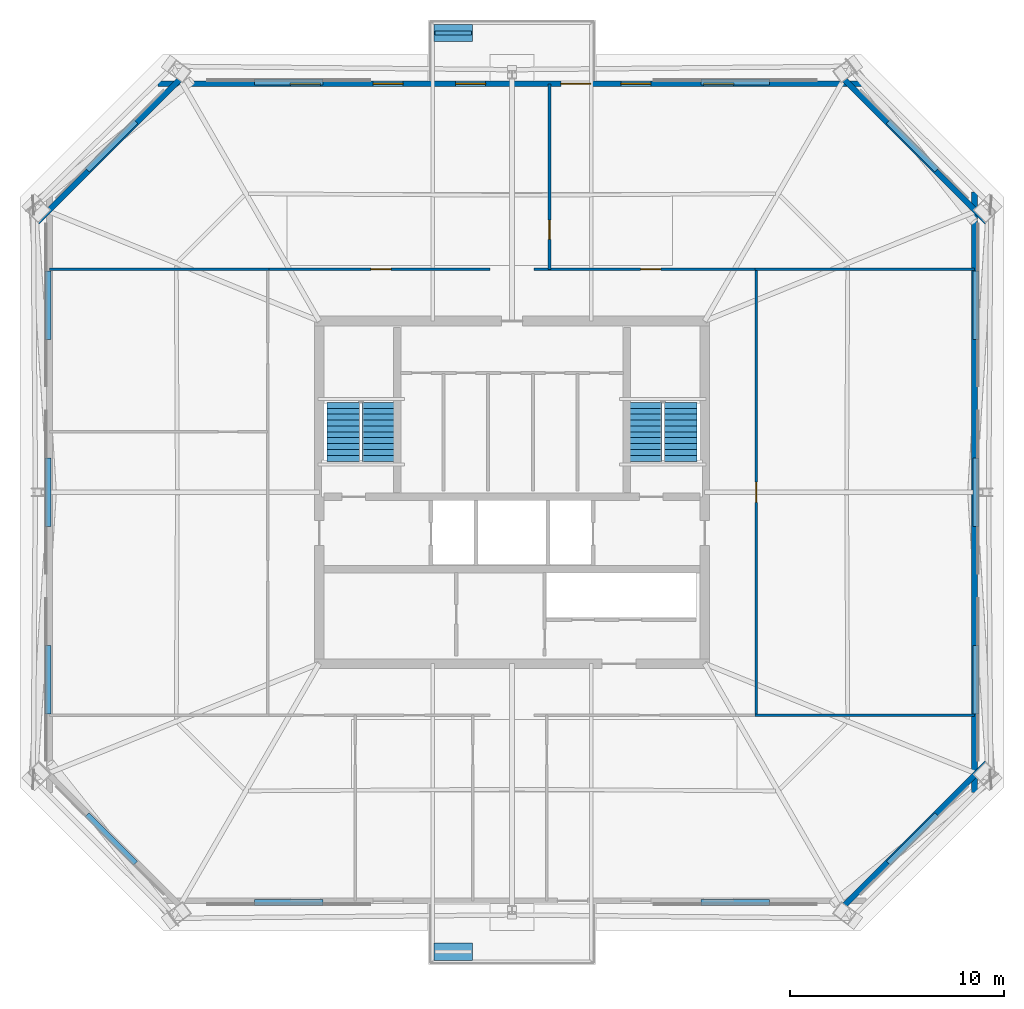
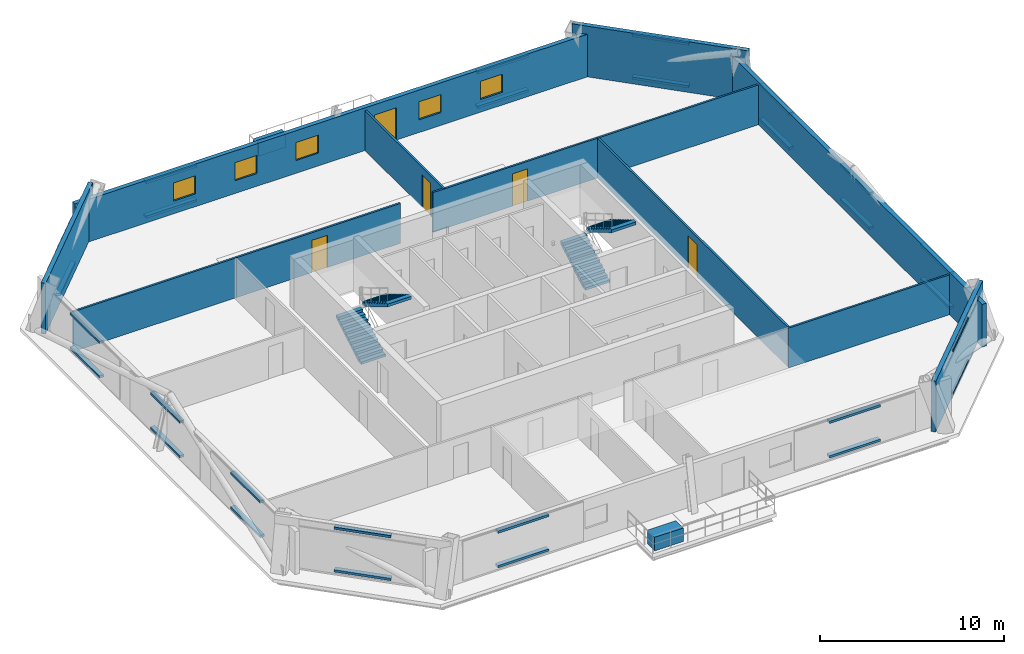
# One storey, part 4 of 6: 30 discrete accessories, 13 walls, 5 doors, 5 windows, 4 stair flights, 10 openings, 2 elements without a shape of their own.
"""IFC4 building model written with IfcOpenShell, lengths in metres."""

from ifc_helpers import new_model, si_unit, direction, frame, frame_2d, origin, origin_2d, place, context, subcontext, project, spatial, polyline, rectangle, outline, extrude, material, layer, layer_set, type_object, element, fill, aggregate, save


model = new_model("IFC4")

# Units and contexts
model_context = context("Model", 3, precision=1e-05, world=origin(), true_north=direction((0.0, 1.0)))
body_context = subcontext(model_context, "Body", "Model", "MODEL_VIEW")
ifc_project = project(units=[si_unit("LENGTHUNIT", "METRE"), si_unit("AREAUNIT", "SQUARE_METRE"), si_unit("VOLUMEUNIT", "CUBIC_METRE"), si_unit("PLANEANGLEUNIT", "RADIAN"), si_unit("MASSUNIT", "GRAM", prefix="KILO")], contexts=[model_context])

# Site, building, storey
site_placement = place(None, origin())
site = spatial("IfcSite", under=ifc_project, at=site_placement, CompositionType="ELEMENT")
building_placement = place(site_placement, origin())
building = spatial("IfcBuilding", under=site, at=building_placement, Name="Caelvoria Tower", CompositionType="ELEMENT")
storey_placement = place(building_placement, frame((0.0, 0.0, 195.0)))
storey = spatial("IfcBuildingStorey", under=building, at=storey_placement, Name="L51", CompositionType="ELEMENT", Elevation=195.0)

# Wall
ifc_material_1 = material(Name="Bronze-Clad Concrete C40/50", Category="concrete")
ifc_layer_1 = layer(ifc_material_1, 0.179931640625, Name="Bronze-Clad Concrete C40/50")
ifc_layer_set_1 = layer_set([ifc_layer_1], Name="Architectural Planter Kerb Wall 180 - Bronze-Clad Concrete C40/50")
wall_type_1 = type_object("IfcWallType", Name="Architectural Planter Kerb Wall 180", PredefinedType="PARAPET", material=ifc_layer_set_1)
wall_1_placement = place(storey_placement, frame((42.39990234375, 53.4599609375, 0.0), z_axis=(0.0, 0.0, 1.0), x_axis=(1.0, 0.0, 0.0)))
element("IfcWall", 1, at=wall_1_placement, inside=storey, type_object=wall_type_1, Name="Tree Balcony Planter Kerb PLANTER TB-L51-N", PredefinedType="PARAPET", context=body_context, shape_type="SweptSolid", body=[
    extrude(rectangle(XDim=1.7001953125, YDim=0.179931640625, at=frame_2d((0.85009765625, 0.0))), origin(), (0.0, 0.0, 1.0), 0.8798828125),
])

# Wall, opening, door
ifc_material_2 = material(Name="Acoustic Gypsum Board on Light-Gauge Stud", Category="gypsum")
ifc_layer_2 = layer(ifc_material_2, 0.1201171875, Name="Acoustic Gypsum Board on Light-Gauge Stud")
ifc_layer_set_2 = layer_set([ifc_layer_2], Name="Tenant Suite Acoustic Partition Wall 120 - Acoustic Gypsum Board on Light-Gauge Stud")
wall_type_2 = type_object("IfcWallType", Name="Tenant Suite Acoustic Partition Wall 120", PredefinedType="PARTITIONING", material=ifc_layer_set_2)
wall_2_placement = place(storey_placement, frame((47.75146484375, 42.409912109375, 0.0), z_axis=(0.0, 0.0, 1.0), x_axis=(0.0, 1.0, 0.0)))
wall_2 = element("IfcWall", 2, at=wall_2_placement, inside=storey, type_object=wall_type_2, Name="Interior Partition IW-L51-ND-00-0", PredefinedType="PARTITIONING", context=body_context, shape_type="SweptSolid", body=[
    extrude(rectangle(XDim=8.670166015625, YDim=0.1201171875, at=frame_2d((4.3349609375, 0.0))), origin(), (0.0, 0.0, 1.0), 2.655029296875),
])
opening_1_placement = place(wall_2_placement, frame((1.39990234375, 0.0, 0.0)))
opening_1 = element("IfcOpeningElement", 3, at=opening_1_placement, cuts=wall_2, Name="Opening ID-06", PredefinedType="OPENING", context=body_context, shape_type="SweptSolid", body=[
    extrude(rectangle(XDim=0.89990234375, YDim=2.14990234375, at=frame_2d((0.449951171875, 1.074951171875))), frame((0.0, 0.070068359375, 0.0), z_axis=(0.0, -1.0, 0.0), x_axis=(1.0, 0.0, 0.0)), (0.0, 0.0, 1.0), 0.14013671875),
])
ifc_material_3 = material(Name="Engineered Andean Oak Veneer Door", Category="wood")
door_type_1 = type_object("IfcDoorType", Name="Interior Timber Door 900x2150", OperationType="NOTDEFINED", PredefinedType="DOOR", material=ifc_material_3)
door_1_placement = place(opening_1_placement, origin())
door_1 = element("IfcDoor", 4, at=door_1_placement, inside=storey, type_object=door_type_1, Name="Interior Door DR-L51-NM-00-0", OperationType="SINGLE_SWING_RIGHT", OverallHeight=2.14990234375, OverallWidth=0.89990234375, PredefinedType="DOOR", context=body_context, shape_type="SweptSolid", body=[
    extrude(rectangle(XDim=0.89990234375, YDim=2.14990234375, at=frame_2d((0.449951171875, 1.074951171875))), frame((0.0, 0.02490234375, 0.0), z_axis=(0.0, -1.0, 0.0), x_axis=(1.0, 0.0, 0.0)), (0.0, 0.0, 1.0), 0.050048828125),
])
fill(opening_1, door_1)

wall_3_placement = place(storey_placement, frame((34.64990234375, 42.409912109375, 0.0), z_axis=(0.0, 0.0, 1.0), x_axis=(1.0, 0.0, 0.0)))
wall_3 = element("IfcWall", 5, at=wall_3_placement, inside=storey, type_object=wall_type_2, Name="Interior Partition IW-L51-NCW-0", PredefinedType="PARTITIONING", context=body_context, shape_type="SweptSolid", body=[
    extrude(rectangle(XDim=10.330078125, YDim=0.1201171875, at=frame_2d((5.1650390625, 0.0))), origin(), (0.0, 0.0, 1.0), 2.655029296875),
])
opening_2_placement = place(wall_3_placement, frame((4.760009765625, 0.0, 0.0)))
opening_2 = element("IfcOpeningElement", 6, at=opening_2_placement, cuts=wall_3, Name="Opening ID-05", PredefinedType="OPENING", context=body_context, shape_type="SweptSolid", body=[
    extrude(rectangle(XDim=0.949951171875, YDim=2.14990234375, at=frame_2d((0.47509765625, 1.074951171875))), frame((0.0, 0.070068359375, 0.0), z_axis=(0.0, -1.0, 0.0), x_axis=(1.0, 0.0, 0.0)), (0.0, 0.0, 1.0), 0.14013671875),
])
door_type_2 = type_object("IfcDoorType", Name="Interior Timber Door 950x2150", OperationType="NOTDEFINED", PredefinedType="DOOR", material=ifc_material_3)
door_2_placement = place(opening_2_placement, origin())
door_2 = element("IfcDoor", 7, at=door_2_placement, inside=storey, type_object=door_type_2, Name="Interior Door DR-L51-NC-00-0", OperationType="SINGLE_SWING_RIGHT", OverallHeight=2.14990234375, OverallWidth=0.949951171875, PredefinedType="DOOR", context=body_context, shape_type="SweptSolid", body=[
    extrude(rectangle(XDim=0.949951171875, YDim=2.14990234375, at=frame_2d((0.47509765625, 1.074951171875))), frame((0.0, 0.02490234375, 0.0), z_axis=(0.0, -1.0, 0.0), x_axis=(1.0, 0.0, 0.0)), (0.0, 0.0, 1.0), 0.050048828125),
])
fill(opening_2, door_2)

wall_4_placement = place(storey_placement, frame((47.02001953125, 42.409912109375, 0.0), z_axis=(0.0, 0.0, 1.0), x_axis=(1.0, 0.0, 0.0)))
wall_4 = element("IfcWall", 8, at=wall_4_placement, inside=storey, type_object=wall_type_2, Name="Interior Partition IW-L51-NCW-1", PredefinedType="PARTITIONING", context=body_context, shape_type="SweptSolid", body=[
    extrude(rectangle(XDim=10.330078125, YDim=0.1201171875, at=frame_2d((5.1650390625, 0.0))), origin(), (0.0, 0.0, 1.0), 2.655029296875),
])
opening_3_placement = place(wall_4_placement, frame((4.985595703125, 0.0, 0.0)))
opening_3 = element("IfcOpeningElement", 9, at=opening_3_placement, cuts=wall_4, Name="Opening ID-05", PredefinedType="OPENING", context=body_context, shape_type="SweptSolid", body=[
    extrude(rectangle(XDim=0.949951171875, YDim=2.14990234375, at=frame_2d((0.47509765625, 1.074951171875))), frame((0.0, 0.070068359375, 0.0), z_axis=(0.0, -1.0, 0.0), x_axis=(1.0, 0.0, 0.0)), (0.0, 0.0, 1.0), 0.14013671875),
])
door_3_placement = place(opening_3_placement, origin())
door_3 = element("IfcDoor", 10, at=door_3_placement, inside=storey, type_object=door_type_2, Name="Interior Door DR-L51-NC-01-0", OperationType="SINGLE_SWING_LEFT", OverallHeight=2.14990234375, OverallWidth=0.949951171875, PredefinedType="DOOR", context=body_context, shape_type="SweptSolid", body=[
    extrude(rectangle(XDim=0.949951171875, YDim=2.14990234375, at=frame_2d((0.47509765625, 1.074951171875))), frame((0.0, 0.02490234375, 0.0), z_axis=(0.0, -1.0, 0.0), x_axis=(1.0, 0.0, 0.0)), (0.0, 0.0, 1.0), 0.050048828125),
])
fill(opening_3, door_3)

wall_5_placement = place(storey_placement, frame((57.409912109375, 21.64990234375, 0.0), z_axis=(0.0, 0.0, 1.0), x_axis=(0.0, 1.0, 0.0)))
wall_5 = element("IfcWall", 11, at=wall_5_placement, inside=storey, type_object=wall_type_2, Name="Interior Partition IW-L51-ECW-0", PredefinedType="PARTITIONING", context=body_context, shape_type="SweptSolid", body=[
    extrude(rectangle(XDim=20.7001953125, YDim=0.1201171875, at=frame_2d((10.35009765625, 0.0))), origin(), (0.0, 0.0, 1.0), 2.655029296875),
])
opening_4_placement = place(wall_5_placement, frame((9.875, 0.0, 0.0)))
opening_4 = element("IfcOpeningElement", 12, at=opening_4_placement, cuts=wall_5, Name="Opening ID-05", PredefinedType="OPENING", context=body_context, shape_type="SweptSolid", body=[
    extrude(rectangle(XDim=0.949951171875, YDim=2.14990234375, at=frame_2d((0.47509765625, 1.074951171875))), frame((0.0, 0.070068359375, 0.0), z_axis=(0.0, -1.0, 0.0), x_axis=(1.0, 0.0, 0.0)), (0.0, 0.0, 1.0), 0.14013671875),
])
door_4_placement = place(opening_4_placement, origin())
door_4 = element("IfcDoor", 13, at=door_4_placement, inside=storey, type_object=door_type_2, Name="Interior Door DR-L51-EC-00-0", OperationType="SINGLE_SWING_RIGHT", OverallHeight=2.14990234375, OverallWidth=0.949951171875, PredefinedType="DOOR", context=body_context, shape_type="SweptSolid", body=[
    extrude(rectangle(XDim=0.949951171875, YDim=2.14990234375, at=frame_2d((0.47509765625, 1.074951171875))), frame((0.0, 0.02490234375, 0.0), z_axis=(0.0, -1.0, 0.0), x_axis=(1.0, 0.0, 0.0)), (0.0, 0.0, 1.0), 0.050048828125),
])
fill(opening_4, door_4)

# Walls
for number, where, z_axis, x_axis, name in (
    (14, (57.35009765625, 21.590087890625, 0.0), (0.0, 0.0, 1.0), (1.0, 0.0, 0.0), "Interior Partition IW-L51-BSE-0"),
    (15, (34.64990234375, 42.409912109375, 0.0), (0.0, 0.0, 1.0), (-1.0, 0.0, 0.0), "Interior Partition IW-L51-BNW-0"),
    (16, (57.35009765625, 42.409912109375, 0.0), (0.0, 0.0, 1.0), (1.0, 0.0, 0.0), "Interior Partition IW-L51-BNE-0"),
):
    element("IfcWall", number, at=place(storey_placement, frame(where, z_axis=z_axis, x_axis=x_axis)), inside=storey, type_object=wall_type_2, Name=name, PredefinedType="PARTITIONING", context=body_context, shape_type="SweptSolid", body=[
        extrude(rectangle(XDim=10.25, YDim=0.1201171875, at=frame_2d((5.125, 0.0))), origin(), (0.0, 0.0, 1.0), 2.655029296875),
    ])
ifc_material_4 = material(Name="Precast Concrete C40/50 with Bronze Cladding", Category="concrete")
ifc_layer_3 = layer(ifc_material_4, 0.264892578125, Name="Precast Concrete C40/50 with Bronze Cladding")
ifc_layer_set_3 = layer_set([ifc_layer_3], Name="Upper Taper Precast Concrete C40/50 Bronze Facade Wall 265 - Precast Concrete C40/50 with Bronze Cladding")
wall_type_3 = type_object("IfcWallType", Name="Upper Taper Precast Concrete C40/50 Bronze Facade Wall 265", PredefinedType="STANDARD", material=ifc_layer_set_3)
wall_6_placement = place(storey_placement, frame((61.154541015625, 12.34619140625, 0.0), z_axis=(0.0, 0.0, 1.0), x_axis=(0.707106781187, 0.707106781187, 0.0)))
element("IfcWall", 17, at=wall_6_placement, inside=storey, type_object=wall_type_3, Name="Exterior Facade Wall L51-E1", PredefinedType="STANDARD", context=body_context, shape_type="SweptSolid", body=[
    extrude(rectangle(XDim=9.9267578125, YDim=0.264892578125, at=frame_2d((4.96337890625, 0.0))), origin(), (0.0, 0.0, 1.0), 3.375),
])
wall_7_placement = place(storey_placement, frame((67.60009765625, 17.97998046875, 0.0), z_axis=(0.0, 0.0, 1.0), x_axis=(0.0, 1.0, 0.0)))
element("IfcWall", 18, at=wall_7_placement, inside=storey, type_object=wall_type_3, Name="Exterior Facade Wall L51-E2", PredefinedType="STANDARD", context=body_context, shape_type="SweptSolid", body=[
    extrude(rectangle(XDim=28.0400390625, YDim=0.264892578125, at=frame_2d((14.02001953125, 0.0))), origin(), (0.0, 0.0, 1.0), 2.83203125),
])
wall_8_placement = place(storey_placement, frame((68.173828125, 44.634521484375, 0.0), z_axis=(0.0, 0.0, 1.0), x_axis=(-0.707106781187, 0.707106781187, 0.0)))
element("IfcWall", 19, at=wall_8_placement, inside=storey, type_object=wall_type_3, Name="Exterior Facade Wall L51-E3", PredefinedType="STANDARD", context=body_context, shape_type="SweptSolid", body=[
    extrude(rectangle(XDim=9.9267578125, YDim=0.264892578125, at=frame_2d((4.96337890625, 0.0))), origin(), (0.0, 0.0, 1.0), 3.375),
])

# Wall, openings, windows, door
wall_9_placement = place(storey_placement, frame((62.5400390625, 51.080078125, 0.0), z_axis=(0.0, 0.0, 1.0), x_axis=(-1.0, 0.0, 0.0)))
wall_9 = element("IfcWall", 20, at=wall_9_placement, inside=storey, type_object=wall_type_3, Name="Exterior Facade Wall L51-E4", PredefinedType="STANDARD", context=body_context, shape_type="SweptSolid", body=[
    extrude(rectangle(XDim=33.080078125, YDim=0.264892578125, at=frame_2d((16.5400390625, 0.0))), origin(), (0.0, 0.0, 1.0), 2.83203125),
])
opening_5_placement = place(wall_9_placement, frame((12.860107421875, 0.0, 0.0)))
opening_5 = element("IfcOpeningElement", 21, at=opening_5_placement, cuts=wall_9, Name="Opening ED-04", PredefinedType="OPENING", context=body_context, shape_type="SweptSolid", body=[
    extrude(rectangle(XDim=1.39990234375, YDim=2.14990234375, at=frame_2d((0.699951171875, 1.074951171875))), frame((0.0, 0.142333984375, 0.0), z_axis=(0.0, -1.0, 0.0), x_axis=(1.0, 0.0, 0.0)), (0.0, 0.0, 1.0), 0.284912109375),
])
opening_6_placement = place(wall_9_placement, frame((6.18994140625, 0.0, 0.85009765625)))
opening_6 = element("IfcOpeningElement", 22, at=opening_6_placement, cuts=wall_9, Name="Opening WN-06", PredefinedType="OPENING", context=body_context, shape_type="SweptSolid", body=[
    extrude(rectangle(XDim=1.39990234375, YDim=1.199951171875, at=frame_2d((0.699951171875, 0.60009765625))), frame((0.0, 0.142333984375, 0.0), z_axis=(0.0, -1.0, 0.0), x_axis=(1.0, 0.0, 0.0)), (0.0, 0.0, 1.0), 0.284912109375),
])
opening_7_placement = place(wall_9_placement, frame((10.050048828125, 0.0, 0.85009765625)))
opening_7 = element("IfcOpeningElement", 23, at=opening_7_placement, cuts=wall_9, Name="Opening WN-06", PredefinedType="OPENING", context=body_context, shape_type="SweptSolid", body=[
    extrude(rectangle(XDim=1.39990234375, YDim=1.199951171875, at=frame_2d((0.699951171875, 0.60009765625))), frame((0.0, 0.142333984375, 0.0), z_axis=(0.0, -1.0, 0.0), x_axis=(1.0, 0.0, 0.0)), (0.0, 0.0, 1.0), 0.284912109375),
])
opening_8_placement = place(wall_9_placement, frame((17.77001953125, 0.0, 0.85009765625)))
opening_8 = element("IfcOpeningElement", 24, at=opening_8_placement, cuts=wall_9, Name="Opening WN-06", PredefinedType="OPENING", context=body_context, shape_type="SweptSolid", body=[
    extrude(rectangle(XDim=1.39990234375, YDim=1.199951171875, at=frame_2d((0.699951171875, 0.60009765625))), frame((0.0, 0.142333984375, 0.0), z_axis=(0.0, -1.0, 0.0), x_axis=(1.0, 0.0, 0.0)), (0.0, 0.0, 1.0), 0.284912109375),
])
opening_9_placement = place(wall_9_placement, frame((21.6298828125, 0.0, 0.85009765625)))
opening_9 = element("IfcOpeningElement", 25, at=opening_9_placement, cuts=wall_9, Name="Opening WN-06", PredefinedType="OPENING", context=body_context, shape_type="SweptSolid", body=[
    extrude(rectangle(XDim=1.39990234375, YDim=1.199951171875, at=frame_2d((0.699951171875, 0.60009765625))), frame((0.0, 0.142333984375, 0.0), z_axis=(0.0, -1.0, 0.0), x_axis=(1.0, 0.0, 0.0)), (0.0, 0.0, 1.0), 0.284912109375),
])
opening_10_placement = place(wall_9_placement, frame((25.489990234375, 0.0, 0.85009765625)))
opening_10 = element("IfcOpeningElement", 26, at=opening_10_placement, cuts=wall_9, Name="Opening WN-06", PredefinedType="OPENING", context=body_context, shape_type="SweptSolid", body=[
    extrude(rectangle(XDim=1.39990234375, YDim=1.199951171875, at=frame_2d((0.699951171875, 0.60009765625))), frame((0.0, 0.142333984375, 0.0), z_axis=(0.0, -1.0, 0.0), x_axis=(1.0, 0.0, 0.0)), (0.0, 0.0, 1.0), 0.284912109375),
])
ifc_material_5 = material(Name="Low-E Tinted Glass in Bronze Aluminium Frame", Category="aluminium")
window_type = type_object("IfcWindowType", Name="Podium Clerestory Window 1400x1200", PartitioningType="SINGLE_PANEL", PredefinedType="WINDOW", material=ifc_material_5)
window_1_placement = place(opening_6_placement, origin())
window_1 = element("IfcWindow", 27, at=window_1_placement, inside=storey, type_object=window_type, Name="Facade Window L51-E4-01", OverallHeight=1.199951171875, OverallWidth=1.39990234375, PartitioningType="SINGLE_PANEL", PredefinedType="WINDOW", context=body_context, shape_type="SweptSolid", body=[
    extrude(rectangle(XDim=1.39990234375, YDim=1.199951171875, at=frame_2d((0.699951171875, 0.60009765625))), frame((0.0, 0.030029296875, 0.0), z_axis=(0.0, -1.0, 0.0), x_axis=(1.0, 0.0, 0.0)), (0.0, 0.0, 1.0), 0.06005859375),
])
fill(opening_6, window_1)
window_2_placement = place(opening_7_placement, origin())
window_2 = element("IfcWindow", 28, at=window_2_placement, inside=storey, type_object=window_type, Name="Facade Window L51-E4-02", OverallHeight=1.199951171875, OverallWidth=1.39990234375, PartitioningType="SINGLE_PANEL", PredefinedType="WINDOW", context=body_context, shape_type="SweptSolid", body=[
    extrude(rectangle(XDim=1.39990234375, YDim=1.199951171875, at=frame_2d((0.699951171875, 0.60009765625))), frame((0.0, 0.030029296875, 0.0), z_axis=(0.0, -1.0, 0.0), x_axis=(1.0, 0.0, 0.0)), (0.0, 0.0, 1.0), 0.06005859375),
])
fill(opening_7, window_2)
window_3_placement = place(opening_8_placement, origin())
window_3 = element("IfcWindow", 29, at=window_3_placement, inside=storey, type_object=window_type, Name="Facade Window L51-E4-04", OverallHeight=1.199951171875, OverallWidth=1.39990234375, PartitioningType="SINGLE_PANEL", PredefinedType="WINDOW", context=body_context, shape_type="SweptSolid", body=[
    extrude(rectangle(XDim=1.39990234375, YDim=1.199951171875, at=frame_2d((0.699951171875, 0.60009765625))), frame((0.0, 0.030029296875, 0.0), z_axis=(0.0, -1.0, 0.0), x_axis=(1.0, 0.0, 0.0)), (0.0, 0.0, 1.0), 0.06005859375),
])
fill(opening_8, window_3)
window_4_placement = place(opening_9_placement, origin())
window_4 = element("IfcWindow", 30, at=window_4_placement, inside=storey, type_object=window_type, Name="Facade Window L51-E4-05", OverallHeight=1.199951171875, OverallWidth=1.39990234375, PartitioningType="SINGLE_PANEL", PredefinedType="WINDOW", context=body_context, shape_type="SweptSolid", body=[
    extrude(rectangle(XDim=1.39990234375, YDim=1.199951171875, at=frame_2d((0.699951171875, 0.60009765625))), frame((0.0, 0.030029296875, 0.0), z_axis=(0.0, -1.0, 0.0), x_axis=(1.0, 0.0, 0.0)), (0.0, 0.0, 1.0), 0.06005859375),
])
fill(opening_9, window_4)
window_5_placement = place(opening_10_placement, origin())
window_5 = element("IfcWindow", 31, at=window_5_placement, inside=storey, type_object=window_type, Name="Facade Window L51-E4-06", OverallHeight=1.199951171875, OverallWidth=1.39990234375, PartitioningType="SINGLE_PANEL", PredefinedType="WINDOW", context=body_context, shape_type="SweptSolid", body=[
    extrude(rectangle(XDim=1.39990234375, YDim=1.199951171875, at=frame_2d((0.699951171875, 0.60009765625))), frame((0.0, 0.030029296875, 0.0), z_axis=(0.0, -1.0, 0.0), x_axis=(1.0, 0.0, 0.0)), (0.0, 0.0, 1.0), 0.06005859375),
])
fill(opening_10, window_5)
ifc_material_6 = material(Name="Anodised Bronze Aluminium and Laminated Glass", Category="aluminium")
door_type_3 = type_object("IfcDoorType", Name="Tree Balcony Glazed Door 1400x2150", OperationType="NOTDEFINED", PredefinedType="DOOR", material=ifc_material_6)
door_5_placement = place(opening_5_placement, origin())
door_5 = element("IfcDoor", 32, at=door_5_placement, inside=storey, type_object=door_type_3, Name="Tree Balcony Door L51-N", OperationType="SINGLE_SWING_RIGHT", OverallHeight=2.14990234375, OverallWidth=1.39990234375, PredefinedType="DOOR", context=body_context, shape_type="SweptSolid", body=[
    extrude(rectangle(XDim=1.39990234375, YDim=2.14990234375, at=frame_2d((0.699951171875, 1.074951171875))), frame((0.0, 0.02490234375, 0.0), z_axis=(0.0, -1.0, 0.0), x_axis=(1.0, 0.0, 0.0)), (0.0, 0.0, 1.0), 0.050048828125),
])
fill(opening_5, door_5)

# Wall
wall_10_placement = place(storey_placement, frame((30.845458984375, 51.65380859375, 0.0), z_axis=(0.0, 0.0, 1.0), x_axis=(-0.707106781187, -0.707106781187, 0.0)))
element("IfcWall", 33, at=wall_10_placement, inside=storey, type_object=wall_type_3, Name="Exterior Facade Wall L51-E5", PredefinedType="STANDARD", context=body_context, shape_type="SweptSolid", body=[
    extrude(rectangle(XDim=9.9267578125, YDim=0.264892578125, at=frame_2d((4.96337890625, 0.0))), origin(), (0.0, 0.0, 1.0), 3.375),
])

# Stair, stair flights
ifc_material_7 = material(Name="Concrete C40/50", Category="concrete")
stair_type = type_object("IfcStairType", Name="Core Smokeproof Dogleg Stair Concrete C40/50", PredefinedType="HALF_TURN_STAIR", material=ifc_material_7)
stair_1_placement = place(storey_placement, origin())
stair_1 = element("IfcStair", 34, at=stair_1_placement, inside=storey, type_object=stair_type, Name="ST-01 Smokeproof Exit Stair L51", PredefinedType="HALF_TURN_STAIR")
ifc_material_8 = material(Name="Precast Concrete C40/50", Category="concrete")
stair_flight_type = type_object("IfcStairFlightType", Name="Precast Concrete C40/50 Stair Flight 1480", PredefinedType="STRAIGHT", material=ifc_material_8)
stair_flight_1_placement = place(storey_placement, frame((38.1298828125, 33.449951171875, 0.0), z_axis=(0.0, 0.0, 1.0), x_axis=(0.0, 1.0, 0.0)))
stair_flight_1 = element("IfcStairFlight", 35, at=stair_flight_1_placement, type_object=stair_flight_type, Name="ST-01 flight 1", NumberOfRisers=11, NumberOfTreads=10, PredefinedType="STRAIGHT", RiserHeight=0.1636, TreadLength=0.275, context=body_context, shape_type="SweptSolid", body=[
    extrude(outline(polyline([(0.0, 0.0), (0.0, 0.16357421875), (0.27490234375, 0.16357421875), (0.27490234375, 0.3271484375), (0.550048828125, 0.3271484375), (0.550048828125, 0.49072265625), (0.824951171875, 0.49072265625), (0.824951171875, 0.654296875), (1.10009765625, 0.654296875), (1.10009765625, 0.818115234375), (1.375, 0.818115234375), (1.375, 0.981689453125), (1.64990234375, 0.981689453125), (1.64990234375, 1.145263671875), (1.925048828125, 1.145263671875), (1.925048828125, 1.308837890625), (2.199951171875, 1.308837890625), (2.199951171875, 1.472412109375), (2.47509765625, 1.472412109375), (2.47509765625, 1.635986328125), (2.75, 1.635986328125), (2.75, 1.799560546875), (2.75, 1.449951171875), (0.312744140625, 0.0), (0.0, 0.0)])), frame((0.0, 0.77001953125, 0.0), z_axis=(0.0, -1.0, 0.0), x_axis=(1.0, 0.0, 0.0)), (0.0, 0.0, 1.0), 1.5400390625),
])
stair_flight_2_placement = place(storey_placement, frame((39.77001953125, 36.199951171875, 1.800048828125), z_axis=(0.0, 0.0, 1.0), x_axis=(0.0, -1.0, 0.0)))
stair_flight_2 = element("IfcStairFlight", 36, at=stair_flight_2_placement, type_object=stair_flight_type, Name="ST-01 flight 2", NumberOfRisers=11, NumberOfTreads=10, PredefinedType="STRAIGHT", RiserHeight=0.1636, TreadLength=0.275, context=body_context, shape_type="SweptSolid", body=[
    extrude(outline(polyline([(0.0, 0.0), (0.0, 0.16357421875), (0.27490234375, 0.16357421875), (0.27490234375, 0.3271484375), (0.550048828125, 0.3271484375), (0.550048828125, 0.49072265625), (0.824951171875, 0.49072265625), (0.824951171875, 0.654296875), (1.10009765625, 0.654296875), (1.10009765625, 0.818115234375), (1.375, 0.818115234375), (1.375, 0.981689453125), (1.64990234375, 0.981689453125), (1.64990234375, 1.145263671875), (1.925048828125, 1.145263671875), (1.925048828125, 1.308837890625), (2.199951171875, 1.308837890625), (2.199951171875, 1.472412109375), (2.47509765625, 1.472412109375), (2.47509765625, 1.635986328125), (2.75, 1.635986328125), (2.75, 1.799560546875), (2.75, 1.449951171875), (0.312744140625, 0.0), (0.0, 0.0)])), frame((0.0, 0.77001953125, 0.0), z_axis=(0.0, -1.0, 0.0), x_axis=(1.0, 0.0, 0.0)), (0.0, 0.0, 1.0), 1.5400390625),
])
aggregate(stair_1, [stair_flight_1, stair_flight_2])

stair_2_placement = place(storey_placement, origin())
stair_2 = element("IfcStair", 37, at=stair_2_placement, inside=storey, type_object=stair_type, Name="ST-02 Smokeproof Exit Stair L51", PredefinedType="HALF_TURN_STAIR")
stair_flight_3_placement = place(storey_placement, frame((52.22998046875, 33.449951171875, 0.0), z_axis=(0.0, 0.0, 1.0), x_axis=(0.0, 1.0, 0.0)))
stair_flight_3 = element("IfcStairFlight", 38, at=stair_flight_3_placement, type_object=stair_flight_type, Name="ST-02 flight 1", NumberOfRisers=11, NumberOfTreads=10, PredefinedType="STRAIGHT", RiserHeight=0.1636, TreadLength=0.275, context=body_context, shape_type="SweptSolid", body=[
    extrude(outline(polyline([(0.0, 0.0), (0.0, 0.16357421875), (0.27490234375, 0.16357421875), (0.27490234375, 0.3271484375), (0.550048828125, 0.3271484375), (0.550048828125, 0.49072265625), (0.824951171875, 0.49072265625), (0.824951171875, 0.654296875), (1.10009765625, 0.654296875), (1.10009765625, 0.818115234375), (1.375, 0.818115234375), (1.375, 0.981689453125), (1.64990234375, 0.981689453125), (1.64990234375, 1.145263671875), (1.925048828125, 1.145263671875), (1.925048828125, 1.308837890625), (2.199951171875, 1.308837890625), (2.199951171875, 1.472412109375), (2.47509765625, 1.472412109375), (2.47509765625, 1.635986328125), (2.75, 1.635986328125), (2.75, 1.799560546875), (2.75, 1.449951171875), (0.312744140625, 0.0), (0.0, 0.0)])), frame((0.0, 0.77001953125, 0.0), z_axis=(0.0, -1.0, 0.0), x_axis=(1.0, 0.0, 0.0)), (0.0, 0.0, 1.0), 1.5400390625),
])
stair_flight_4_placement = place(storey_placement, frame((53.8701171875, 36.199951171875, 1.800048828125), z_axis=(0.0, 0.0, 1.0), x_axis=(0.0, -1.0, 0.0)))
stair_flight_4 = element("IfcStairFlight", 39, at=stair_flight_4_placement, type_object=stair_flight_type, Name="ST-02 flight 2", NumberOfRisers=11, NumberOfTreads=10, PredefinedType="STRAIGHT", RiserHeight=0.1636, TreadLength=0.275, context=body_context, shape_type="SweptSolid", body=[
    extrude(outline(polyline([(0.0, 0.0), (0.0, 0.16357421875), (0.27490234375, 0.16357421875), (0.27490234375, 0.3271484375), (0.550048828125, 0.3271484375), (0.550048828125, 0.49072265625), (0.824951171875, 0.49072265625), (0.824951171875, 0.654296875), (1.10009765625, 0.654296875), (1.10009765625, 0.818115234375), (1.375, 0.818115234375), (1.375, 0.981689453125), (1.64990234375, 0.981689453125), (1.64990234375, 1.145263671875), (1.925048828125, 1.145263671875), (1.925048828125, 1.308837890625), (2.199951171875, 1.308837890625), (2.199951171875, 1.472412109375), (2.47509765625, 1.472412109375), (2.47509765625, 1.635986328125), (2.75, 1.635986328125), (2.75, 1.799560546875), (2.75, 1.449951171875), (0.312744140625, 0.0), (0.0, 0.0)])), frame((0.0, 0.77001953125, 0.0), z_axis=(0.0, -1.0, 0.0), x_axis=(1.0, 0.0, 0.0)), (0.0, 0.0, 1.0), 1.5400390625),
])
aggregate(stair_2, [stair_flight_3, stair_flight_4])

# Discrete accessories
ifc_material_9 = material(Name="Anodised Bronze Stainless Bracket", Category="bronze")
discrete_accessory_type_1 = type_object("IfcDiscreteAccessoryType", Name="Solar Screen Outrigger Support Bracket", PredefinedType="BRACKET", material=ifc_material_9)
for number, where, z_axis, x_axis, name in (
    (40, (35.5732421875, 12.84716796875, 0.240234375), (0.0, 0.0, 1.0), (1.0, 0.0, 0.0), "Solar Screen Bracket L51-E0-00"),
    (41, (35.5732421875, 12.84716796875, 2.5322265625), (0.0, 0.0, 1.0), (1.0, 0.0, 0.0), "Upper Screen Band Bracket L51-E0-00"),
    (42, (56.4267578125, 12.84716796875, 0.240234375), (0.0, 0.0, 1.0), (1.0, 0.0, 0.0), "Solar Screen Bracket L51-E0-02"),
    (43, (56.4267578125, 12.84716796875, 2.5322265625), (0.0, 0.0, 1.0), (1.0, 0.0, 0.0), "Upper Screen Band Bracket L51-E0-02"),
    (44, (64.7158203125, 15.80419921875, 0.240234375), (0.0, 0.0, 1.0), (0.707106781187, 0.707106781187, 0.0), "Solar Screen Bracket L51-E1-00"),
    (45, (64.7158203125, 15.80419921875, 3.0751953125), (0.0, 0.0, 1.0), (0.707106781187, 0.707106781187, 0.0), "Upper Screen Band Bracket L51-E1-00"),
    (46, (67.6728515625, 23.25341796875, 0.240234375), (0.0, 0.0, 1.0), (0.0, 1.0, 0.0), "Solar Screen Bracket L51-E2-00"),
    (47, (67.6728515625, 23.25341796875, 2.5322265625), (0.0, 0.0, 1.0), (0.0, 1.0, 0.0), "Upper Screen Band Bracket L51-E2-00"),
    (48, (67.6728515625, 32.0, 0.240234375), (0.0, 0.0, 1.0), (0.0, 1.0, 0.0), "Solar Screen Bracket L51-E2-01"),
    (49, (67.6728515625, 32.0, 2.5322265625), (0.0, 0.0, 1.0), (0.0, 1.0, 0.0), "Upper Screen Band Bracket L51-E2-01"),
    (50, (67.6728515625, 40.74658203125, 0.240234375), (0.0, 0.0, 1.0), (0.0, 1.0, 0.0), "Solar Screen Bracket L51-E2-02"),
    (51, (67.6728515625, 40.74658203125, 2.5322265625), (0.0, 0.0, 1.0), (0.0, 1.0, 0.0), "Upper Screen Band Bracket L51-E2-02"),
    (52, (64.7158203125, 48.19580078125, 0.240234375), (0.0, 0.0, 1.0), (-0.707106781187, 0.707106781187, 0.0), "Solar Screen Bracket L51-E3-00"),
    (53, (64.7158203125, 48.19580078125, 3.0751953125), (0.0, 0.0, 1.0), (-0.707106781187, 0.707106781187, 0.0), "Upper Screen Band Bracket L51-E3-00"),
    (54, (56.4267578125, 51.15283203125, 0.240234375), (0.0, 0.0, 1.0), (-1.0, 0.0, 0.0), "Solar Screen Bracket L51-E4-00"),
    (55, (56.4267578125, 51.15283203125, 2.5322265625), (0.0, 0.0, 1.0), (-1.0, 0.0, 0.0), "Upper Screen Band Bracket L51-E4-00"),
    (56, (35.5732421875, 51.15283203125, 0.240234375), (0.0, 0.0, 1.0), (-1.0, 0.0, 0.0), "Solar Screen Bracket L51-E4-02"),
    (57, (35.5732421875, 51.15283203125, 2.5322265625), (0.0, 0.0, 1.0), (-1.0, 0.0, 0.0), "Upper Screen Band Bracket L51-E4-02"),
    (58, (27.2841796875, 48.19580078125, 0.240234375), (0.0, 0.0, 1.0), (-0.707106781187, -0.707106781187, 0.0), "Solar Screen Bracket L51-E5-00"),
    (59, (27.2841796875, 48.19580078125, 3.0751953125), (0.0, 0.0, 1.0), (-0.707106781187, -0.707106781187, 0.0), "Upper Screen Band Bracket L51-E5-00"),
    (60, (24.3271484375, 40.74658203125, 0.240234375), (0.0, 0.0, 1.0), (0.0, -1.0, 0.0), "Solar Screen Bracket L51-E6-00"),
    (61, (24.3271484375, 40.74658203125, 2.5322265625), (0.0, 0.0, 1.0), (0.0, -1.0, 0.0), "Upper Screen Band Bracket L51-E6-00"),
    (62, (24.3271484375, 32.0, 0.240234375), (0.0, 0.0, 1.0), (0.0, -1.0, 0.0), "Solar Screen Bracket L51-E6-01"),
    (63, (24.3271484375, 32.0, 2.5322265625), (0.0, 0.0, 1.0), (0.0, -1.0, 0.0), "Upper Screen Band Bracket L51-E6-01"),
    (64, (24.3271484375, 23.25341796875, 0.240234375), (0.0, 0.0, 1.0), (0.0, -1.0, 0.0), "Solar Screen Bracket L51-E6-02"),
    (65, (24.3271484375, 23.25341796875, 2.5322265625), (0.0, 0.0, 1.0), (0.0, -1.0, 0.0), "Upper Screen Band Bracket L51-E6-02"),
    (66, (27.2841796875, 15.80419921875, 0.240234375), (0.0, 0.0, 1.0), (0.707106781187, -0.707106781187, 0.0), "Solar Screen Bracket L51-E7-00"),
    (67, (27.2841796875, 15.80419921875, 3.0751953125), (0.0, 0.0, 1.0), (0.707106781187, -0.707106781187, 0.0), "Upper Screen Band Bracket L51-E7-00"),
):
    element("IfcDiscreteAccessory", number, at=place(storey_placement, frame(where, z_axis=z_axis, x_axis=x_axis)), inside=storey, type_object=discrete_accessory_type_1, Name=name, PredefinedType="BRACKET", context=body_context, shape_type="SweptSolid", body=[
        extrude(rectangle(XDim=3.199951171875, YDim=0.280029296875, at=origin_2d()), origin(), (0.0, 0.0, 1.0), 0.159912109375),
    ])
ifc_material_10 = material(Name="Bronze-Clad Concrete C40/50 Planter Vessel", Category="concrete")
discrete_accessory_type_2 = type_object("IfcDiscreteAccessoryType", Name="Tree Balcony Structural Planter Vessel PLANTER", PredefinedType="USERDEFINED", material=ifc_material_10)
for number, where, z_axis, x_axis, name in (
    (68, (43.25, 10.5400390625, 0.0), (0.0, 0.0, 1.0), (1.0, 0.0, 0.0), "Tree Balcony Planter TB-L51-S"),
    (69, (43.25, 53.4599609375, 0.0), (0.0, 0.0, 1.0), (1.0, 0.0, 0.0), "Tree Balcony Planter TB-L51-N"),
):
    element("IfcDiscreteAccessory", number, at=place(storey_placement, frame(where, z_axis=z_axis, x_axis=x_axis)), inside=storey, type_object=discrete_accessory_type_2, Name=name, ObjectType="PLANTER", PredefinedType="USERDEFINED", context=body_context, shape_type="SweptSolid", body=[
        extrude(rectangle(XDim=1.800048828125, YDim=0.800048828125, at=origin_2d()), origin(), (0.0, 0.0, 1.0), 0.89990234375),
    ])

save(model, "model.ifc")
